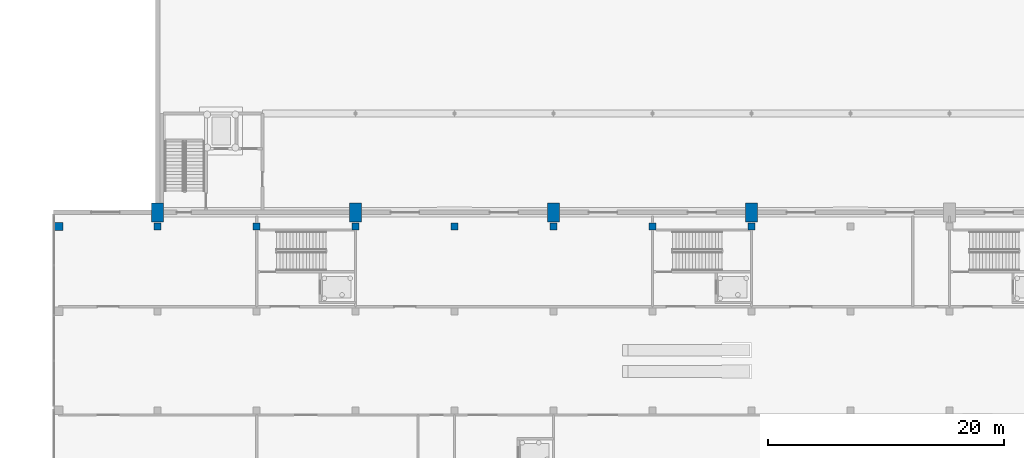
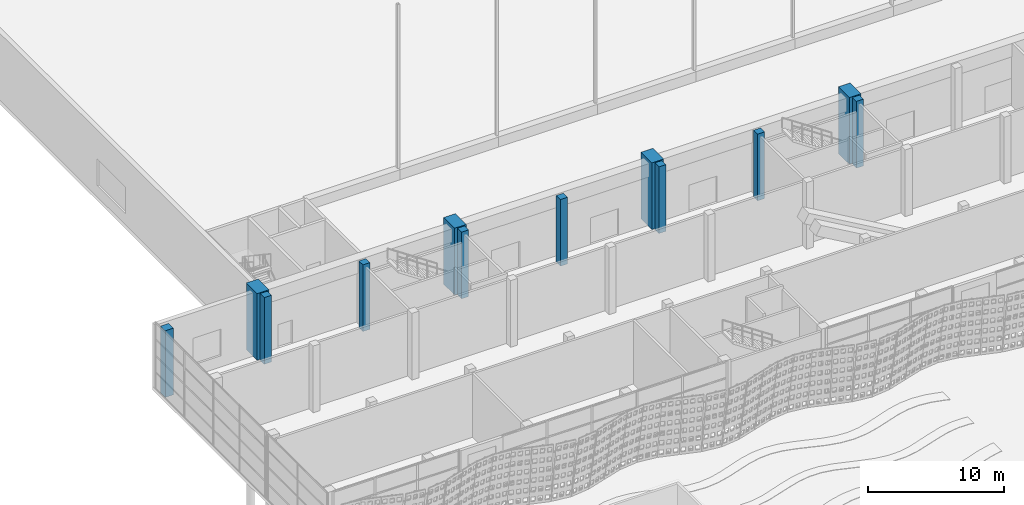
# One storey, part 10 of 210: 12 columns.
"""IFC4 building model written with IfcOpenShell, lengths in metres."""

from ifc_helpers import new_model, si_unit, direction, frame, origin, origin_2d, place, context, subcontext, project, spatial, rectangle, extrude, material, material_profile, profile_set, type_object, element, save


model = new_model("IFC4")

# Units and contexts
model_context = context("Model", 3, precision=1e-05, world=origin(), true_north=direction((0.0, 1.0)))
body_context = subcontext(model_context, "Body", "Model", "MODEL_VIEW")
ifc_project = project(units=[si_unit("LENGTHUNIT", "METRE"), si_unit("AREAUNIT", "SQUARE_METRE"), si_unit("VOLUMEUNIT", "CUBIC_METRE"), si_unit("PLANEANGLEUNIT", "RADIAN"), si_unit("MASSUNIT", "GRAM", prefix="KILO")], contexts=[model_context])

# Site, building, storey
site_placement = place(None, origin())
site = spatial("IfcSite", under=ifc_project, at=site_placement, CompositionType="ELEMENT")
building_placement = place(site_placement, origin())
building = spatial("IfcBuilding", under=site, at=building_placement, Name="Rain Tree Exposition and Congress Centre", CompositionType="ELEMENT")
storey_placement = place(building_placement, origin())
storey = spatial("IfcBuildingStorey", under=building, at=storey_placement, Name="L00", CompositionType="ELEMENT", Elevation=0.0)

# Columns
ifc_material_1 = material(Name="Precast concrete C50/60", Category="concrete")
ifc_material_profile_1 = material_profile(ifc_material_1, rectangle(XDim=1.0, YDim=1.60009765625, at=origin_2d()), Name="RC 1000x1600")
ifc_profile_set_1 = profile_set([ifc_material_profile_1], Name="Precast concrete C50/60")
column_type_1 = type_object("IfcColumnType", Name="Precast column 1000x1600", PredefinedType="COLUMN", material=ifc_profile_set_1)
for number, where, z_axis, x_axis, name in (
    (1, (8.39990234375, 100.800048828125, 0.0), (0.0, 0.0, 1.0), (1.0, 0.0, 0.0), "Expressed column 1"),
    (2, (25.199951171875, 100.800048828125, 0.0), (0.0, 0.0, 1.0), (1.0, 0.0, 0.0), "Expressed column 2"),
    (3, (42.0, 100.800048828125, 0.0), (0.0, 0.0, 1.0), (1.0, 0.0, 0.0), "Expressed column 3"),
    (4, (58.800048828125, 100.800048828125, 0.0), (0.0, 0.0, 1.0), (1.0, 0.0, 0.0), "Expressed column 4"),
):
    element("IfcColumn", number, at=place(storey_placement, frame(where, z_axis=z_axis, x_axis=x_axis)), inside=storey, type_object=column_type_1, Name=name, PredefinedType="COLUMN", context=body_context, shape_type="SweptSolid", body=[
        extrude(rectangle(XDim=1.0, YDim=1.60009765625, at=origin_2d()), origin(), (0.0, 0.0, 1.0), 6.0),
    ])
ifc_material_2 = material(Name="Precast concrete C50/60", Category="concrete")
ifc_material_profile_2 = material_profile(ifc_material_2, rectangle(XDim=0.60009765625, YDim=0.60009765625, at=origin_2d()), Name="RC 600x600")
ifc_profile_set_2 = profile_set([ifc_material_profile_2], Name="Precast concrete C50/60")
column_type_2 = type_object("IfcColumnType", Name="Precast column 600x600", PredefinedType="COLUMN", material=ifc_profile_set_2)
for number, where, z_axis, x_axis, name in (
    (5, (8.39990234375, 99.60009765625, 0.0), (0.0, 0.0, 1.0), (1.0, 0.0, 0.0), "Concourse column L00 D2"),
    (6, (16.800048828125, 99.60009765625, 0.0), (0.0, 0.0, 1.0), (1.0, 0.0, 0.0), "Concourse column L00 D3"),
    (7, (25.199951171875, 99.60009765625, 0.0), (0.0, 0.0, 1.0), (1.0, 0.0, 0.0), "Concourse column L00 D4"),
    (8, (33.60009765625, 99.60009765625, 0.0), (0.0, 0.0, 1.0), (1.0, 0.0, 0.0), "Concourse column L00 D5"),
    (9, (42.0, 99.60009765625, 0.0), (0.0, 0.0, 1.0), (1.0, 0.0, 0.0), "Concourse column L00 D6"),
    (10, (50.39990234375, 99.60009765625, 0.0), (0.0, 0.0, 1.0), (1.0, 0.0, 0.0), "Concourse column L00 D7"),
    (11, (58.800048828125, 99.60009765625, 0.0), (0.0, 0.0, 1.0), (1.0, 0.0, 0.0), "Concourse column L00 D8"),
):
    element("IfcColumn", number, at=place(storey_placement, frame(where, z_axis=z_axis, x_axis=x_axis)), inside=storey, type_object=column_type_2, Name=name, PredefinedType="COLUMN", context=body_context, shape_type="SweptSolid", body=[
        extrude(rectangle(XDim=0.60009765625, YDim=0.60009765625, at=origin_2d()), origin(), (0.0, 0.0, 1.0), 6.0),
    ])
ifc_material_3 = material(Name="Precast concrete C50/60", Category="concrete")
ifc_material_profile_3 = material_profile(ifc_material_3, rectangle(XDim=0.699951171875, YDim=0.699951171875, at=origin_2d()), Name="RC 700x700")
ifc_profile_set_3 = profile_set([ifc_material_profile_3], Name="Precast concrete C50/60")
column_type_3 = type_object("IfcColumnType", Name="Precast column 700x700", PredefinedType="COLUMN", material=ifc_profile_set_3)
column_placement = place(storey_placement, frame((0.0, 99.60009765625, 0.0), z_axis=(0.0, 0.0, 1.0), x_axis=(1.0, 0.0, 0.0)))
element("IfcColumn", 12, at=column_placement, inside=storey, type_object=column_type_3, Name="Concourse column L00 D1", PredefinedType="COLUMN", context=body_context, shape_type="SweptSolid", body=[
    extrude(rectangle(XDim=0.699951171875, YDim=0.699951171875, at=origin_2d()), origin(), (0.0, 0.0, 1.0), 6.0),
])

save(model, "model.ifc")
